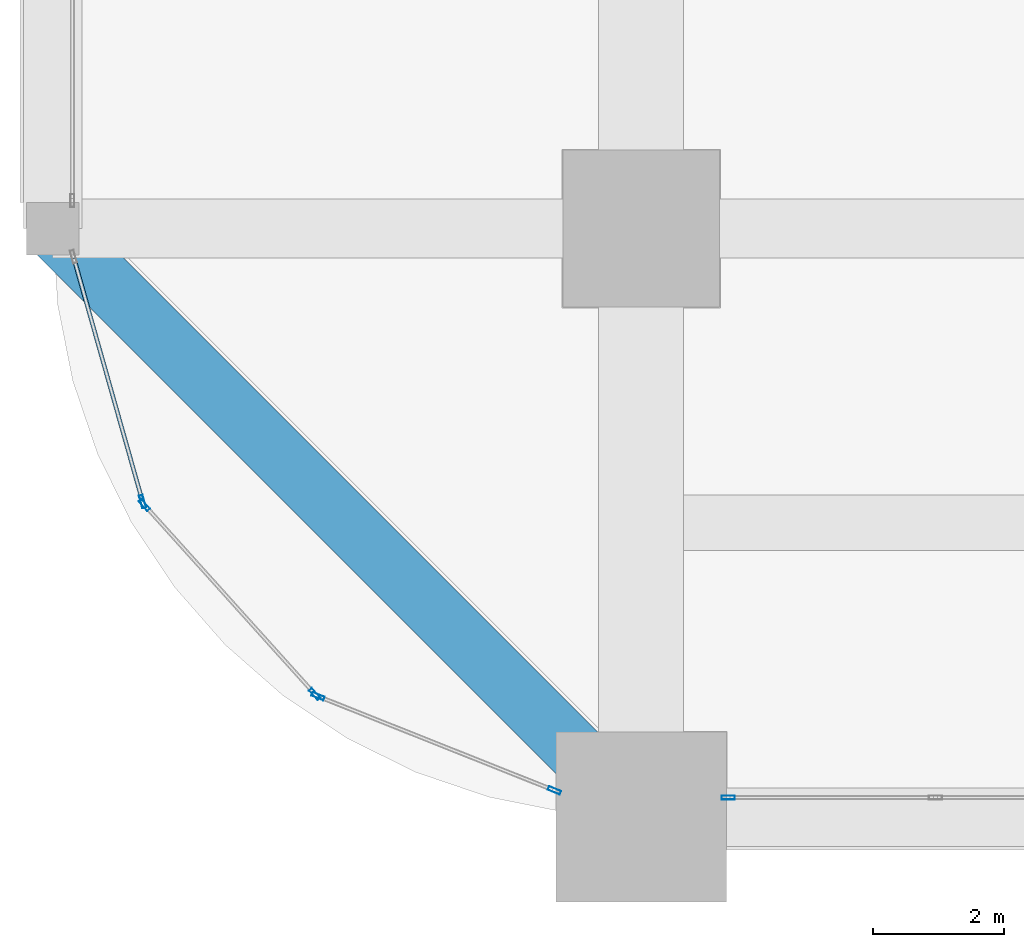
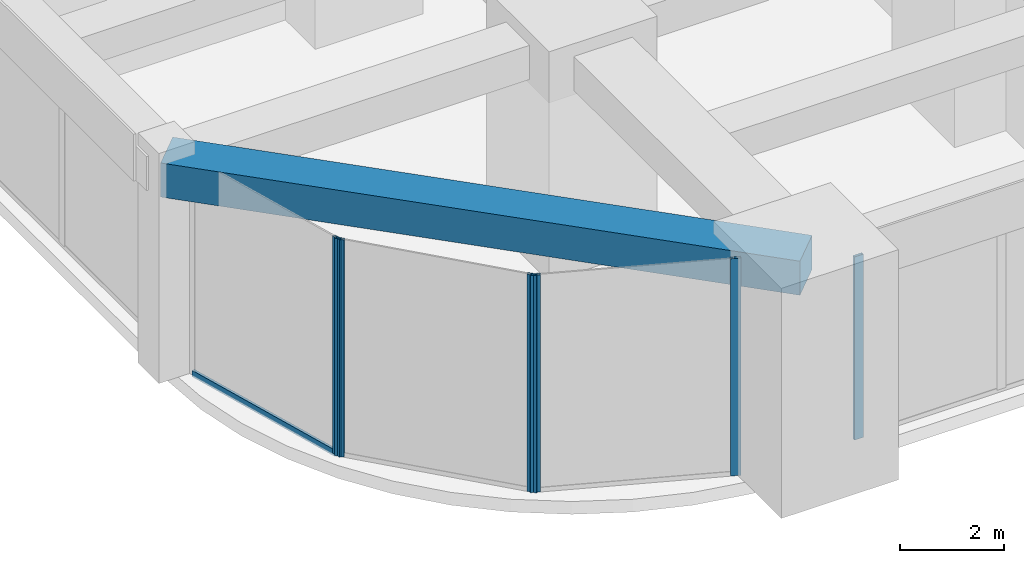
# One storey, part 2 of 45: 7 members, 1 beam, 4 elements without a shape of their own.
"""IFC4 building model written with IfcOpenShell, lengths in metres."""

from ifc_helpers import new_model, si_unit, direction, frame, origin, origin_2d, place, context, subcontext, project, spatial, rectangle, hollow_rectangle, extrude, material, material_profile, profile_set, type_object, element, aggregate, save


model = new_model("IFC4")

# Units and contexts
model_context = context("Model", 3, precision=1e-05, world=origin(), true_north=direction((0.0, 1.0)))
body_context = subcontext(model_context, "Body", "Model", "MODEL_VIEW")
ifc_project = project(units=[si_unit("LENGTHUNIT", "METRE"), si_unit("AREAUNIT", "SQUARE_METRE"), si_unit("VOLUMEUNIT", "CUBIC_METRE"), si_unit("PLANEANGLEUNIT", "RADIAN"), si_unit("MASSUNIT", "GRAM", prefix="KILO")], contexts=[model_context])

# Site, building, storey
site_placement = place(None, origin())
site = spatial("IfcSite", under=ifc_project, at=site_placement, CompositionType="ELEMENT")
building_placement = place(site_placement, origin())
building = spatial("IfcBuilding", under=site, at=building_placement, Name="Zorevar Civic Tower", CompositionType="ELEMENT")
storey_placement = place(building_placement, frame((0.0, 0.0, 5.39990234375)))
storey = spatial("IfcBuildingStorey", under=building, at=storey_placement, Name="L01", CompositionType="ELEMENT", Elevation=5.39990234375)

# Curtain wall, member
ifc_material_1 = material(Name="Dark grey solar-control glass in black aluminium frame", Category="aluminium")
curtain_wall_type = type_object("IfcCurtainWallType", Name="Curtain wall CW1 podium", PredefinedType="NOTDEFINED", material=ifc_material_1)
curtain_wall_1_placement = place(storey_placement, origin())
curtain_wall_1 = element("IfcCurtainWall", 1, at=curtain_wall_1_placement, inside=storey, type_object=curtain_wall_type, Name="CW1 L01", PredefinedType="NOTDEFINED")
ifc_material_2 = material(Name="Aluminium, black anodised", Category="aluminium")
ifc_material_profile_1 = material_profile(ifc_material_2, hollow_rectangle(XDim=0.06005859375, YDim=0.199951171875, WallThickness=0.00390625, at=origin_2d()), Name="AL 200x60x4")
ifc_profile_set_1 = profile_set([ifc_material_profile_1], Name="Aluminium, black anodised")
member_type_1 = type_object("IfcMemberType", Name="CW1 mullion AL 200x60x4", PredefinedType="MULLION", material=ifc_profile_set_1)
member_1_placement = place(storey_placement, frame((1.330078125, 0.300048828125, 0.0), z_axis=(0.0, 0.0, 1.0), x_axis=(0.0, 1.0, 0.0)))
member_1 = element("IfcMember", 2, at=member_1_placement, type_object=member_type_1, Name="CW1 mullion 1", PredefinedType="MULLION", context=body_context, shape_type="SweptSolid", body=[
    extrude(hollow_rectangle(XDim=0.06005859375, YDim=0.199951171875, WallThickness=0.00390625, at=origin_2d()), origin(), (0.0, 0.0, 1.0), 4.300048828125),
])
aggregate(curtain_wall_1, [member_1])

curtain_wall_2_placement = place(storey_placement, origin())
curtain_wall_2 = element("IfcCurtainWall", 3, at=curtain_wall_2_placement, inside=storey, type_object=curtain_wall_type, Name="CW1 L01", PredefinedType="NOTDEFINED")
member_2_placement = place(storey_placement, frame((-7.625244140625, 4.825439453125, 0.0), z_axis=(0.0, 0.0, 1.0), x_axis=(0.962390725943, 0.271669082929, 0.0)))
member_2 = element("IfcMember", 4, at=member_2_placement, type_object=member_type_1, Name="CW1 mullion 2", PredefinedType="MULLION", context=body_context, shape_type="SweptSolid", body=[
    extrude(hollow_rectangle(XDim=0.06005859375, YDim=0.199951171875, WallThickness=0.00390625, at=origin_2d()), origin(), (0.0, 0.0, 1.0), 5.10009765625),
])

# Curtain wall, members
curtain_wall_3_placement = place(storey_placement, origin())
curtain_wall_3 = element("IfcCurtainWall", 5, at=curtain_wall_3_placement, inside=storey, type_object=curtain_wall_type, Name="CW1 L01", PredefinedType="NOTDEFINED")
member_3_placement = place(storey_placement, frame((-7.596923828125, 4.774169921875, 0.0), z_axis=(0.0, 0.0, 1.0), x_axis=(0.742899688263, 0.669402758568, 0.0)))
member_3 = element("IfcMember", 6, at=member_3_placement, type_object=member_type_1, Name="CW1 mullion 1", PredefinedType="MULLION", context=body_context, shape_type="SweptSolid", body=[
    extrude(hollow_rectangle(XDim=0.06005859375, YDim=0.199951171875, WallThickness=0.00390625, at=origin_2d()), origin(), (0.0, 0.0, 1.0), 5.10009765625),
])
member_4_placement = place(storey_placement, frame((-4.991455078125, 1.8828125, 0.0), z_axis=(0.0, 0.0, 1.0), x_axis=(0.742899688263, 0.669402758568, 0.0)))
member_4 = element("IfcMember", 7, at=member_4_placement, type_object=member_type_1, Name="CW1 mullion 2", PredefinedType="MULLION", context=body_context, shape_type="SweptSolid", body=[
    extrude(hollow_rectangle(XDim=0.06005859375, YDim=0.199951171875, WallThickness=0.00390625, at=origin_2d()), origin(), (0.0, 0.0, 1.0), 5.10009765625),
])
aggregate(curtain_wall_3, [member_3, member_4])

curtain_wall_4_placement = place(storey_placement, origin())
curtain_wall_4 = element("IfcCurtainWall", 8, at=curtain_wall_4_placement, inside=storey, type_object=curtain_wall_type, Name="CW1 L01", PredefinedType="NOTDEFINED")
member_5_placement = place(storey_placement, frame((-4.943603515625, 1.849365234375, 0.0), z_axis=(0.0, 0.0, 1.0), x_axis=(0.370110964218, 0.928987553289, 0.0)))
member_5 = element("IfcMember", 9, at=member_5_placement, type_object=member_type_1, Name="CW1 mullion 1", PredefinedType="MULLION", context=body_context, shape_type="SweptSolid", body=[
    extrude(hollow_rectangle(XDim=0.06005859375, YDim=0.199951171875, WallThickness=0.00390625, at=origin_2d()), origin(), (0.0, 0.0, 1.0), 5.10009765625),
])
member_6_placement = place(storey_placement, frame((-1.327880859375, 0.408935546875, 0.0), z_axis=(0.0, 0.0, 1.0), x_axis=(0.370110964218, 0.928987553289, 0.0)))
member_6 = element("IfcMember", 10, at=member_6_placement, type_object=member_type_1, Name="CW1 mullion 2", PredefinedType="MULLION", context=body_context, shape_type="SweptSolid", body=[
    extrude(hollow_rectangle(XDim=0.06005859375, YDim=0.199951171875, WallThickness=0.00390625, at=origin_2d()), origin(), (0.0, 0.0, 1.0), 5.10009765625),
])
aggregate(curtain_wall_4, [member_5, member_6])

# Member
ifc_material_3 = material(Name="Aluminium, black anodised", Category="aluminium")
ifc_material_profile_2 = material_profile(ifc_material_3, hollow_rectangle(XDim=0.06005859375, YDim=0.14990234375, WallThickness=0.00390625, at=origin_2d()), Name="AL 150x60x4")
ifc_profile_set_2 = profile_set([ifc_material_profile_2], Name="Aluminium, black anodised")
member_type_2 = type_object("IfcMemberType", Name="CW1 transom AL 150x60x4", PredefinedType="USERDEFINED", material=ifc_profile_set_2)
member_7_placement = place(storey_placement, frame((-8.67431640625, 8.542236328125, 0.030029296875), z_axis=(0.271656874729, -0.962394172059, 0.0), x_axis=(0.962394172059, 0.271656874729, 0.0)))
member_7 = element("IfcMember", 11, at=member_7_placement, type_object=member_type_2, Name="CW1 sill transom", ObjectType="TRANSOM", PredefinedType="USERDEFINED", context=body_context, shape_type="SweptSolid", body=[
    extrude(hollow_rectangle(XDim=0.06005859375, YDim=0.14990234375, WallThickness=0.00390625, at=origin_2d()), origin(), (0.0, 0.0, 1.0), 3.83203125),
])

aggregate(curtain_wall_2, [member_2, member_7])

# Beam
ifc_material_4 = material(Name="Concrete C50/60", Category="concrete")
ifc_material_profile_3 = material_profile(ifc_material_4, rectangle(XDim=0.89990234375, YDim=0.800048828125, at=origin_2d()), Name="RC 900x800")
ifc_profile_set_3 = profile_set([ifc_material_profile_3], Name="Concrete C50/60")
beam_type = type_object("IfcBeamType", Name="Edge beam RC 900x800", PredefinedType="SPANDREL", material=ifc_profile_set_3)
beam_placement = place(storey_placement, frame((-9.0, 9.0, 4.7001953125), z_axis=(0.707106781187, -0.707106781187, 0.0), x_axis=(0.707106781187, 0.707106781187, 0.0)))
element("IfcBeam", 12, at=beam_placement, inside=storey, type_object=beam_type, Name="Corner edge beam L02", PredefinedType="SPANDREL", context=body_context, shape_type="SweptSolid", body=[
    extrude(rectangle(XDim=0.89990234375, YDim=0.800048828125, at=origin_2d()), origin(), (0.0, 0.0, 1.0), 12.72802734375),
])

save(model, "model.ifc")
